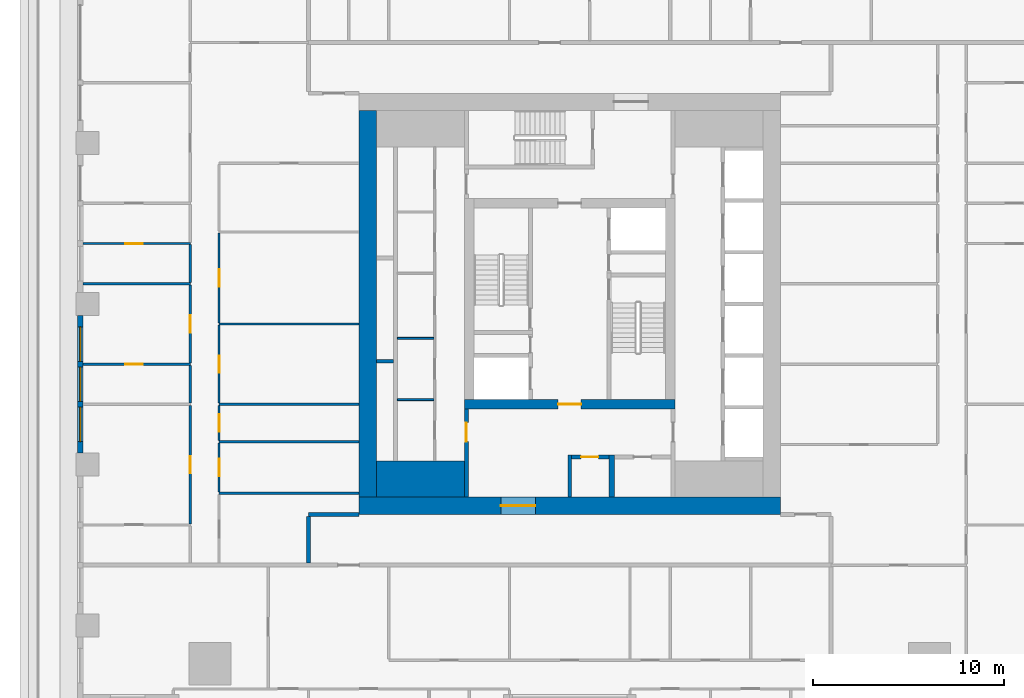
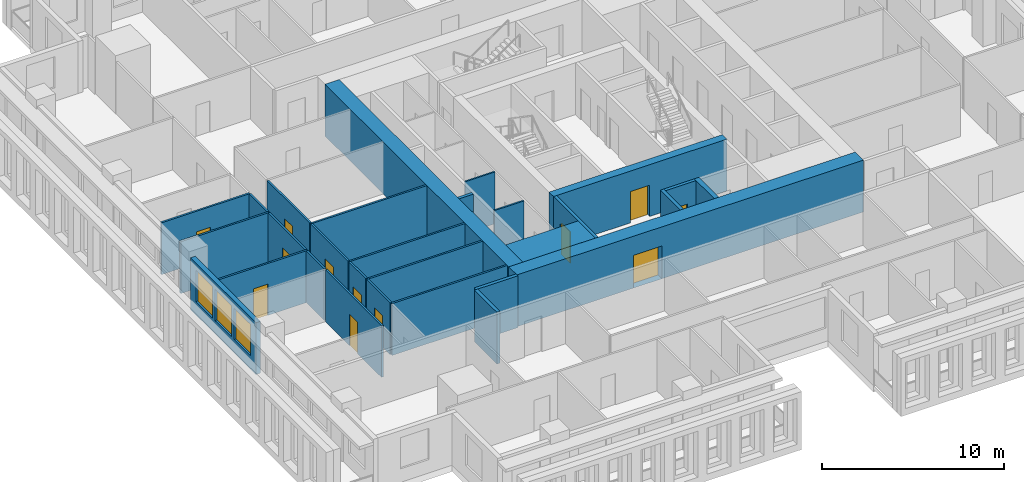
# One storey, part 3 of 15: 29 walls, 12 doors, 3 windows, 15 openings.
"""IFC4 building model written with IfcOpenShell, lengths in metres."""

import ifcopenshell
import ifcopenshell.guid

model = None  # the IFC model being written
_history = None  # IfcOwnerHistory: only IFC2X3 demands one
_inside = {}  # id of a spatial element -> (the spatial element, [elements in it])
_under = {}  # id of a project, library or spatial element -> (it, [spatial elements below it])
_declared = {}  # id of a project -> (the project, [libraries it declares])
_typed = {}  # id of a type object -> (the type object, [elements of that type])
_made_of = {}  # id of a material, layer set ... -> (it, [elements and type objects made of it])


def new_model(schema):
    """Start an empty IFC model of exactly this schema.

    Asked for "IFC4X3", IfcOpenShell would pick the latest addendum, in which some entities
    have other attributes; the version numbers below select the first issue.
    IFC2X3 requires an IfcOwnerHistory on every rooted entity: one is made here for all.
    """
    global model, _history
    if schema == "IFC4X3":
        model = ifcopenshell.file(schema_version=(4, 3, 0, 0))
    else:
        model = ifcopenshell.file(schema=schema)
    _inside.clear()
    _under.clear()
    _declared.clear()
    _typed.clear()
    _made_of.clear()
    _history = None
    if model.schema == "IFC2X3":
        org = make("IfcOrganization", Name="unknown")
        user = make(
            "IfcPersonAndOrganization",
            ThePerson=make("IfcPerson", FamilyName="unknown"),
            TheOrganization=org,
        )
        app = make(
            "IfcApplication",
            ApplicationDeveloper=org,
            Version="unknown",
            ApplicationFullName="unknown",
            ApplicationIdentifier="unknown",
        )
        _history = make(
            "IfcOwnerHistory",
            OwningUser=user,
            OwningApplication=app,
            ChangeAction="ADDED",
            CreationDate=0,
        )
    return model


def make(cls, **values):
    """One entity of the class cls with the attributes given. An attribute that is None is left unset."""
    return model.create_entity(
        cls, **{name: value for name, value in values.items() if value is not None}
    )


def rooted(cls, **values):
    """An entity with a GlobalId (a new one), such as an element, a storey or a relation."""
    return make(cls, GlobalId=ifcopenshell.guid.new(), OwnerHistory=_history, **values)


def si_unit(unit_type, name, prefix=None):
    """IfcSIUnit, for example si_unit("LENGTHUNIT", "METRE", prefix="MILLI")."""
    return make("IfcSIUnit", UnitType=unit_type, Prefix=prefix, Name=name)


def assignment(units):
    """IfcUnitAssignment: the units of a project."""
    return None if units is None else make("IfcUnitAssignment", Units=units)


def point(xyz):
    """IfcCartesianPoint."""
    return None if xyz is None else make("IfcCartesianPoint", Coordinates=xyz)


def direction(xyz):
    """IfcDirection."""
    return None if xyz is None else make("IfcDirection", DirectionRatios=xyz)


def frame(location, z_axis=None, x_axis=None):
    """IfcAxis2Placement3D, a coordinate frame: its origin and axes. An axis left out is left unset."""
    return make(
        "IfcAxis2Placement3D",
        Location=point(location),
        Axis=direction(z_axis),
        RefDirection=direction(x_axis),
    )


def frame_2d(location, x_axis=None):
    """IfcAxis2Placement2D, a coordinate frame in the plane: its origin and x axis."""
    return make(
        "IfcAxis2Placement2D", Location=point(location), RefDirection=direction(x_axis)
    )


def origin():
    """The frame at (0, 0, 0) with its axes left unset."""
    return frame((0.0, 0.0, 0.0))


def place(relative_to, where):
    """IfcLocalPlacement: puts the frame where relative to a parent placement (None: the world)."""
    return make(
        "IfcLocalPlacement", PlacementRelTo=relative_to, RelativePlacement=where
    )


def context(
    kind, dimensions, precision=None, world=None, true_north=None, identifier=None
):
    """IfcGeometricRepresentationContext, for example the 3D "Model" context."""
    return make(
        "IfcGeometricRepresentationContext",
        ContextIdentifier=identifier,
        ContextType=kind,
        CoordinateSpaceDimension=dimensions,
        Precision=precision,
        WorldCoordinateSystem=world,
        TrueNorth=true_north,
    )


def subcontext(parent, identifier, kind, view, scale=None):
    """IfcGeometricRepresentationSubContext, for example "Body" below "Model"."""
    return make(
        "IfcGeometricRepresentationSubContext",
        ContextIdentifier=identifier,
        ContextType=kind,
        ParentContext=parent,
        TargetScale=scale,
        TargetView=view,
    )


def project(units=None, contexts=None):
    """IfcProject with its units and contexts."""
    return rooted(
        "IfcProject",
        Name="project",
        RepresentationContexts=contexts,
        UnitsInContext=assignment(units),
    )


def spatial(cls, under=None, at=None, **own):
    """A site, building, storey or space (cls), placed at a placement, below another one or the project."""
    s = rooted(cls, ObjectPlacement=at, **own)
    if under is not None:
        _under.setdefault(under.id(), (under, []))[1].append(s)
    return s


def profile(cls, at=None, kind="AREA", **sizes):
    """A parametric profile (cls). Its sizes go by their IFC names, for example OverallWidth=200.0."""
    return make(cls, ProfileType=kind, Position=at, **sizes)


def rectangle(**sizes):
    """IfcRectangleProfileDef."""
    return profile("IfcRectangleProfileDef", **sizes)


def extrude(swept, where, along, depth):
    """IfcExtrudedAreaSolid: the profile swept, set in the frame where, extruded along a direction by depth."""
    return make(
        "IfcExtrudedAreaSolid",
        SweptArea=swept,
        Position=where,
        ExtrudedDirection=direction(along),
        Depth=depth,
    )


def shape(context_of_items, identifier, shape_type, items):
    """IfcShapeRepresentation: the items that make up one representation, for example the "Body"."""
    return make(
        "IfcShapeRepresentation",
        ContextOfItems=context_of_items,
        RepresentationIdentifier=identifier,
        RepresentationType=shape_type,
        Items=items,
    )


def material(Name=None, Category=None):
    """IfcMaterial."""
    return make("IfcMaterial", Name=Name, Category=Category)


def layer(
    of_material, thickness, ventilated=None, Name=None, Category=None, Priority=None
):
    """IfcMaterialLayer: one layer of a wall or slab, of a material (None: an air gap)."""
    return make(
        "IfcMaterialLayer",
        Material=of_material,
        LayerThickness=thickness,
        IsVentilated=ventilated,
        Name=Name,
        Category=Category,
        Priority=Priority,
    )


def layer_set(layers, Name=None):
    """IfcMaterialLayerSet."""
    return make("IfcMaterialLayerSet", MaterialLayers=layers, LayerSetName=Name)


def made_of(thing, what):
    """Note that an element or type object is made of a material, layer set ...; save() writes the relation."""
    if what is not None:
        _made_of.setdefault(what.id(), (what, []))[1].append(thing)
    return thing


def type_object(cls, material=None, **own):
    """A type object (cls), such as IfcWallType, which elements share."""
    return made_of(rooted(cls, **own), material)


def element(
    cls,
    number,
    at=None,
    inside=None,
    cuts=None,
    type_object=None,
    material=None,
    context=None,
    identifier="Body",
    shape_type=None,
    held_by="IfcProductDefinitionShape",
    body=None,
    shapes=None,
    **own,
):
    """One element of the class cls, such as IfcWall. Its Tag is "e" and its number.

    at: its placement. inside: the storey or other place that contains it. cuts: it is an
    opening in that element (IfcRelVoidsElement). A single representation is given by context,
    identifier, shape_type and body (its items); several are given by shapes. held_by: the class
    of the entity that holds the representations. save() writes the other relations.
    """
    e = rooted(cls, Tag="e%d" % number, ObjectPlacement=at, **own)
    if body is not None:
        shapes = [shape(context, identifier, shape_type, body)]
    if shapes is not None:
        e.Representation = make(held_by, Representations=shapes)
    if inside is not None:
        _inside.setdefault(inside.id(), (inside, []))[1].append(e)
    if cuts is not None:
        rooted(
            "IfcRelVoidsElement", RelatingBuildingElement=cuts, RelatedOpeningElement=e
        )
    if type_object is not None:
        _typed.setdefault(type_object.id(), (type_object, []))[1].append(e)
    return made_of(e, material)


def fill(opening, filler):
    """IfcRelFillsElement: the door or window that sits in an opening."""
    return rooted(
        "IfcRelFillsElement",
        RelatingOpeningElement=opening,
        RelatedBuildingElement=filler,
    )


def aggregate(whole, parts):
    """IfcRelAggregates: a whole, such as a stair, and the parts it consists of."""
    return rooted("IfcRelAggregates", RelatingObject=whole, RelatedObjects=parts)


def save(model, path):
    """Write the relations noted so far, then the file.

    IfcRelAggregates (storeys below a building ...), IfcRelContainedInSpatialStructure (elements
    in a storey), IfcRelDefinesByType, IfcRelAssociatesMaterial and IfcRelDeclares: one each for
    every whole, place, type object, material and project.
    """
    for whole, parts in _under.values():
        aggregate(whole, parts)
    for where, things in _inside.values():
        rooted(
            "IfcRelContainedInSpatialStructure",
            RelatedElements=things,
            RelatingStructure=where,
        )
    for kind, things in _typed.values():
        rooted("IfcRelDefinesByType", RelatedObjects=things, RelatingType=kind)
    for what, things in _made_of.values():
        rooted("IfcRelAssociatesMaterial", RelatedObjects=things, RelatingMaterial=what)
    for by, libraries in _declared.values():
        rooted("IfcRelDeclares", RelatingContext=by, RelatedDefinitions=libraries)
    model.write(path)


model = new_model("IFC4")

# Units and contexts
model_context = context("Model", 3, precision=1e-05, world=origin(), true_north=direction((0.0, 1.0)))
body_context = subcontext(model_context, "Body", "Model", "MODEL_VIEW")
ifc_project = project(units=[si_unit("LENGTHUNIT", "METRE"), si_unit("AREAUNIT", "SQUARE_METRE"), si_unit("VOLUMEUNIT", "CUBIC_METRE"), si_unit("PLANEANGLEUNIT", "RADIAN"), si_unit("MASSUNIT", "GRAM", prefix="KILO")], contexts=[model_context])

# Site, building, storey
site_placement = place(None, origin())
site = spatial("IfcSite", under=ifc_project, at=site_placement, CompositionType="ELEMENT")
building_placement = place(site_placement, origin())
building = spatial("IfcBuilding", under=site, at=building_placement, Name="Khepri Terraces", CompositionType="ELEMENT")
storey_placement = place(building_placement, frame((0.0, 0.0, 244.5)))
storey = spatial("IfcBuildingStorey", under=building, at=storey_placement, Name="L58", CompositionType="ELEMENT", Elevation=244.5)

# Walls
ifc_material_1 = material(Name="Concrete C40/50", Category="concrete")
ifc_layer_1 = layer(ifc_material_1, 1.89990234375, Name="Concrete C40/50", Category="concrete")
ifc_layer_set_1 = layer_set([ifc_layer_1], Name="Concrete C40/50")
wall_type_1 = type_object("IfcWallType", Name="Core wall 1900 C40/50", PredefinedType="SHEAR", material=ifc_layer_set_1)
wall_1_placement = place(storey_placement, frame((-10.10009765625, -9.14990234375, 0.0), z_axis=(0.0, 0.0, 1.0), x_axis=(1.0, 0.0, 0.0)))
element("IfcWall", 1, at=wall_1_placement, inside=storey, type_object=wall_type_1, Name="Core wall PR01 L58", PredefinedType="SHEAR", context=body_context, shape_type="SweptSolid", body=[
    extrude(rectangle(XDim=4.60009765625, YDim=1.89990234375, at=frame_2d((2.300048828125, 0.0))), origin(), (0.0, 0.0, 1.0), 3.47998046875),
])
ifc_layer_2 = layer(ifc_material_1, 0.199951171875, Name="Concrete C40/50", Category="concrete")
ifc_layer_set_2 = layer_set([ifc_layer_2], Name="Concrete C40/50")
wall_type_2 = type_object("IfcWallType", Name="Core wall 200 C40/50", PredefinedType="SHEAR", material=ifc_layer_set_2)
wall_2_placement = place(storey_placement, frame((-10.10009765625, -3.0, 0.0), z_axis=(0.0, 0.0, 1.0), x_axis=(1.0, 0.0, 0.0)))
element("IfcWall", 2, at=wall_2_placement, inside=storey, type_object=wall_type_2, Name="Core wall SH06 L58", PredefinedType="SHEAR", context=body_context, shape_type="SweptSolid", body=[
    extrude(rectangle(XDim=0.900146484375, YDim=0.199951171875, at=frame_2d((0.4501953125, 0.0))), origin(), (0.0, 0.0, 1.0), 3.47998046875),
])

# Wall, opening, door
ifc_layer_3 = layer(ifc_material_1, 0.5, Name="Concrete C40/50", Category="concrete")
ifc_layer_set_3 = layer_set([ifc_layer_3], Name="Concrete C40/50")
wall_type_3 = type_object("IfcWallType", Name="Core wall 500 C40/50", PredefinedType="SHEAR", material=ifc_layer_set_3)
wall_3_placement = place(storey_placement, frame((-5.5, -5.25, 0.0), z_axis=(0.0, 0.0, 1.0), x_axis=(1.0, 0.0, 0.0)))
wall_3 = element("IfcWall", 3, at=wall_3_placement, inside=storey, type_object=wall_type_3, Name="Core wall BX01 L58", PredefinedType="SHEAR", context=body_context, shape_type="SweptSolid", body=[
    extrude(rectangle(XDim=11.0, YDim=0.5, at=frame_2d((5.5, 0.0))), origin(), (0.0, 0.0, 1.0), 3.47998046875),
])
opening_1_placement = place(wall_3_placement, frame((4.89990234375, 0.0, 0.0)))
opening_1 = element("IfcOpeningElement", 4, at=opening_1_placement, cuts=wall_3, Name="Opening L58-C14", PredefinedType="OPENING", context=body_context, shape_type="SweptSolid", body=[
    extrude(rectangle(XDim=1.199951171875, YDim=2.10009765625, at=frame_2d((0.60009765625, 1.050048828125))), frame((0.0, 0.260009765625, 0.0), z_axis=(0.0, -1.0, 0.0), x_axis=(1.0, 0.0, 0.0)), (0.0, 0.0, 1.0), 0.52001953125),
])
ifc_material_2 = material(Name="Painted steel", Category="steel")
door_type_1 = type_object("IfcDoorType", Name="DR-CORE-FF-LOBBY-1200", OperationType="NOTDEFINED", PredefinedType="DOOR", material=ifc_material_2)
door_1_placement = place(opening_1_placement, origin())
door_1 = element("IfcDoor", 5, at=door_1_placement, inside=storey, type_object=door_type_1, Name="Firefighting lobby door L58-C14", OperationType="SINGLE_SWING_RIGHT", OverallHeight=2.10009765625, OverallWidth=1.199951171875, PredefinedType="DOOR", context=body_context, shape_type="SweptSolid", body=[
    extrude(rectangle(XDim=1.199951171875, YDim=2.10009765625, at=frame_2d((0.60009765625, 1.050048828125))), frame((0.0, 0.02490234375, 0.0), z_axis=(0.0, -1.0, 0.0), x_axis=(1.0, 0.0, 0.0)), (0.0, 0.0, 1.0), 0.050048828125),
])
fill(opening_1, door_1)

ifc_layer_4 = layer(ifc_material_1, 0.89990234375, Name="Concrete C40/50", Category="concrete")
ifc_layer_set_4 = layer_set([ifc_layer_4], Name="Concrete C40/50")
wall_type_4 = type_object("IfcWallType", Name="Core wall 900 C40/50", PredefinedType="SHEAR", material=ifc_layer_set_4)
wall_4_placement = place(storey_placement, frame((-11.0, -10.550048828125, 0.0), z_axis=(0.0, 0.0, 1.0), x_axis=(1.0, 0.0, 0.0)))
wall_4 = element("IfcWall", 6, at=wall_4_placement, inside=storey, type_object=wall_type_4, Name="Core wall OW-S L58", PredefinedType="SHEAR", context=body_context, shape_type="SweptSolid", body=[
    extrude(rectangle(XDim=22.0, YDim=0.89990234375, at=frame_2d((11.0, 0.0))), origin(), (0.0, 0.0, 1.0), 3.47998046875),
])
opening_2_placement = place(wall_4_placement, frame((7.39990234375, 0.0, 0.0)))
opening_2 = element("IfcOpeningElement", 7, at=opening_2_placement, cuts=wall_4, Name="Opening L58-C21", PredefinedType="OPENING", context=body_context, shape_type="SweptSolid", body=[
    extrude(rectangle(XDim=1.800048828125, YDim=2.199951171875, at=frame_2d((0.89990234375, 1.10009765625))), frame((0.0, 0.4599609375, 0.0), z_axis=(0.0, -1.0, 0.0), x_axis=(1.0, 0.0, 0.0)), (0.0, 0.0, 1.0), 0.919921875),
])
door_type_2 = type_object("IfcDoorType", Name="DR-CORE-ENTRANCE-1800", OperationType="NOTDEFINED", PredefinedType="DOOR", material=ifc_material_2)
door_2_placement = place(opening_2_placement, frame((1.800048828125, 0.0, 0.0), z_axis=(0.0, 0.0, 1.0), x_axis=(-1.0, 0.0, 0.0)))
door_2 = element("IfcDoor", 8, at=door_2_placement, inside=storey, type_object=door_type_2, Name="Core entrance door pair L58-C21", OperationType="DOUBLE_DOOR_SINGLE_SWING", OverallHeight=2.199951171875, OverallWidth=1.800048828125, PredefinedType="DOOR", context=body_context, shape_type="SweptSolid", body=[
    extrude(rectangle(XDim=1.800048828125, YDim=2.199951171875, at=frame_2d((0.89990234375, 1.10009765625))), frame((0.0, 0.02490234375, 0.0), z_axis=(0.0, -1.0, 0.0), x_axis=(1.0, 0.0, 0.0)), (0.0, 0.0, 1.0), 0.050048828125),
])
fill(opening_2, door_2)

# Walls
wall_5_placement = place(storey_placement, frame((-10.550048828125, -10.10009765625, 0.0), z_axis=(0.0, 0.0, 1.0), x_axis=(0.0, 1.0, 0.0)))
element("IfcWall", 9, at=wall_5_placement, inside=storey, type_object=wall_type_4, Name="Core wall OW-W L58", PredefinedType="SHEAR", context=body_context, shape_type="SweptSolid", body=[
    extrude(rectangle(XDim=20.2001953125, YDim=0.89990234375, at=frame_2d((10.10009765625, 0.0))), origin(), (0.0, 0.0, 1.0), 3.47998046875),
])
ifc_material_3 = material(Name="Fire-rated gypsum board partition")
ifc_layer_5 = layer(ifc_material_3, 0.10009765625, Name="Fire-rated gypsum board partition")
ifc_layer_set_5 = layer_set([ifc_layer_5], Name="Fire-rated gypsum board partition")
wall_type_5 = type_object("IfcWallType", Name="WL-CORE-PART-100", PredefinedType="PARTITIONING", material=ifc_layer_set_5)
for number, where, z_axis, x_axis, name in (
    (10, (-9.0, -5.0, 0.0), (0.0, 0.0, 1.0), (1.0, 0.0, 0.0), "Core partition PT08 L58"),
    (11, (-9.0, -1.800048828125, 0.0), (0.0, 0.0, 1.0), (1.0, 0.0, 0.0), "Core partition PT09 L58"),
):
    element("IfcWall", number, at=place(storey_placement, frame(where, z_axis=z_axis, x_axis=x_axis)), inside=storey, type_object=wall_type_5, Name=name, PredefinedType="PARTITIONING", context=body_context, shape_type="SweptSolid", body=[
        extrude(rectangle(XDim=1.89990234375, YDim=0.10009765625, at=frame_2d((0.949951171875, 0.0))), origin(), (0.0, 0.0, 1.0), 3.47998046875),
    ])

# Wall, opening, door
ifc_layer_6 = layer(ifc_material_3, 0.199951171875, Name="Fire-rated gypsum board partition")
ifc_layer_set_6 = layer_set([ifc_layer_6], Name="Fire-rated gypsum board partition")
wall_type_6 = type_object("IfcWallType", Name="WL-CORE-PART-200", PredefinedType="PARTITIONING", material=ifc_layer_set_6)
wall_6_placement = place(storey_placement, frame((-5.39990234375, -10.10009765625, 0.0), z_axis=(0.0, 0.0, 1.0), x_axis=(0.0, 1.0, 0.0)))
wall_6 = element("IfcWall", 12, at=wall_6_placement, inside=storey, type_object=wall_type_6, Name="Core partition PT01 L58", PredefinedType="PARTITIONING", context=body_context, shape_type="SweptSolid", body=[
    extrude(rectangle(XDim=4.60009765625, YDim=0.199951171875, at=frame_2d((2.300048828125, 0.0))), origin(), (0.0, 0.0, 1.0), 3.47998046875),
])
opening_3_placement = place(wall_6_placement, frame((2.89990234375, 0.0, 0.0)))
opening_3 = element("IfcOpeningElement", 13, at=opening_3_placement, cuts=wall_6, Name="Opening L58-C18", PredefinedType="OPENING", context=body_context, shape_type="SweptSolid", body=[
    extrude(rectangle(XDim=1.0, YDim=2.10009765625, at=frame_2d((0.5, 1.050048828125))), frame((0.0, 0.10986328125, 0.0), z_axis=(0.0, -1.0, 0.0), x_axis=(1.0, 0.0, 0.0)), (0.0, 0.0, 1.0), 0.219970703125),
])
door_type_3 = type_object("IfcDoorType", Name="DR-CORE-LOBBY-1000", OperationType="NOTDEFINED", PredefinedType="DOOR", material=ifc_material_2)
door_3_placement = place(opening_3_placement, frame((1.0, 0.0, 0.0), z_axis=(0.0, 0.0, 1.0), x_axis=(-1.0, 0.0, 0.0)))
door_3 = element("IfcDoor", 14, at=door_3_placement, inside=storey, type_object=door_type_3, Name="Lobby door L58-C18", OperationType="SINGLE_SWING_LEFT", OverallHeight=2.10009765625, OverallWidth=1.0, PredefinedType="DOOR", context=body_context, shape_type="SweptSolid", body=[
    extrude(rectangle(XDim=1.0, YDim=2.10009765625, at=frame_2d((0.5, 1.050048828125))), frame((0.0, 0.02490234375, 0.0), z_axis=(0.0, -1.0, 0.0), x_axis=(1.0, 0.0, 0.0)), (0.0, 0.0, 1.0), 0.050048828125),
])
fill(opening_3, door_3)

# Wall
wall_7_placement = place(storey_placement, frame((0.0, -10.10009765625, 0.0), z_axis=(0.0, 0.0, 1.0), x_axis=(0.0, 1.0, 0.0)))
element("IfcWall", 15, at=wall_7_placement, inside=storey, type_object=wall_type_6, Name="Core partition PT02 L58", PredefinedType="PARTITIONING", context=body_context, shape_type="SweptSolid", body=[
    extrude(rectangle(XDim=2.2001953125, YDim=0.199951171875, at=frame_2d((1.10009765625, 0.0))), origin(), (0.0, 0.0, 1.0), 3.47998046875),
])

# Wall, opening, door
wall_8_placement = place(storey_placement, frame((0.10009765625, -8.0, 0.0), z_axis=(0.0, 0.0, 1.0), x_axis=(1.0, 0.0, 0.0)))
wall_8 = element("IfcWall", 16, at=wall_8_placement, inside=storey, type_object=wall_type_6, Name="Core partition PT06 L58", PredefinedType="PARTITIONING", context=body_context, shape_type="SweptSolid", body=[
    extrude(rectangle(XDim=1.949951171875, YDim=0.199951171875, at=frame_2d((0.97509765625, 0.0))), origin(), (0.0, 0.0, 1.0), 3.47998046875),
])
opening_4_placement = place(wall_8_placement, frame((0.5, 0.0, 0.0)))
opening_4 = element("IfcOpeningElement", 17, at=opening_4_placement, cuts=wall_8, Name="Opening L58-C22", PredefinedType="OPENING", context=body_context, shape_type="SweptSolid", body=[
    extrude(rectangle(XDim=0.89990234375, YDim=2.10009765625, at=frame_2d((0.449951171875, 1.050048828125))), frame((0.0, 0.10986328125, 0.0), z_axis=(0.0, -1.0, 0.0), x_axis=(1.0, 0.0, 0.0)), (0.0, 0.0, 1.0), 0.219970703125),
])
door_type_4 = type_object("IfcDoorType", Name="DR-CORE-SERVICE-900", OperationType="NOTDEFINED", PredefinedType="DOOR", material=ifc_material_2)
door_4_placement = place(opening_4_placement, frame((0.89990234375, 0.0, 0.0), z_axis=(0.0, 0.0, 1.0), x_axis=(-1.0, 0.0, 0.0)))
door_4 = element("IfcDoor", 18, at=door_4_placement, inside=storey, type_object=door_type_4, Name="Service room door L58-C22", OperationType="SINGLE_SWING_RIGHT", OverallHeight=2.10009765625, OverallWidth=0.89990234375, PredefinedType="DOOR", context=body_context, shape_type="SweptSolid", body=[
    extrude(rectangle(XDim=0.89990234375, YDim=2.10009765625, at=frame_2d((0.449951171875, 1.050048828125))), frame((0.0, 0.02490234375, 0.0), z_axis=(0.0, -1.0, 0.0), x_axis=(1.0, 0.0, 0.0)), (0.0, 0.0, 1.0), 0.050048828125),
])
fill(opening_4, door_4)

# Walls
ifc_layer_7 = layer(ifc_material_3, 0.300048828125, Name="Fire-rated gypsum board partition")
ifc_layer_set_7 = layer_set([ifc_layer_7], Name="Fire-rated gypsum board partition")
wall_type_7 = type_object("IfcWallType", Name="WL-CORE-PART-300", PredefinedType="PARTITIONING", material=ifc_layer_set_7)
wall_9_placement = place(storey_placement, frame((2.199951171875, -10.10009765625, 0.0), z_axis=(0.0, 0.0, 1.0), x_axis=(0.0, 1.0, 0.0)))
element("IfcWall", 19, at=wall_9_placement, inside=storey, type_object=wall_type_7, Name="Core partition PT03 L58", PredefinedType="PARTITIONING", context=body_context, shape_type="SweptSolid", body=[
    extrude(rectangle(XDim=2.2001953125, YDim=0.300048828125, at=frame_2d((1.10009765625, 0.0))), origin(), (0.0, 0.0, 1.0), 3.47998046875),
])
ifc_material_4 = material(Name="Fire-rated gypsum plasterboard partition, mineral wool")
ifc_layer_8 = layer(ifc_material_4, 0.199951171875, Name="Fire-rated gypsum plasterboard partition, mineral wool")
ifc_layer_set_8 = layer_set([ifc_layer_8], Name="Fire-rated gypsum plasterboard partition, mineral wool")
wall_type_8 = type_object("IfcWallType", Name="WL-CORR-200", PredefinedType="PARTITIONING", material=ifc_layer_set_8)
wall_10_placement = place(storey_placement, frame((-13.64990234375, -13.550048828125, 0.0), z_axis=(0.0, 0.0, 1.0), x_axis=(0.0, 1.0, 0.0)))
element("IfcWall", 20, at=wall_10_placement, inside=storey, type_object=wall_type_8, Name="Partition P-025 L58", PredefinedType="PARTITIONING", context=body_context, shape_type="SweptSolid", body=[
    extrude(rectangle(XDim=2.449951171875, YDim=0.199951171875, at=frame_2d((1.22509765625, 0.0))), origin(), (0.0, 0.0, 1.0), 3.47998046875),
])
wall_11_placement = place(storey_placement, frame((-13.64990234375, -11.0, 0.0), z_axis=(0.0, 0.0, 1.0), x_axis=(1.0, 0.0, 0.0)))
element("IfcWall", 21, at=wall_11_placement, inside=storey, type_object=wall_type_8, Name="Partition P-031 L58", PredefinedType="PARTITIONING", context=body_context, shape_type="SweptSolid", body=[
    extrude(rectangle(XDim=2.64990234375, YDim=0.199951171875, at=frame_2d((1.324951171875, 0.0))), origin(), (0.0, 0.0, 1.0), 3.47998046875),
])

# Wall, openings, windows
ifc_material_5 = material(Name="Precast concrete C50/60 warm stone", Category="masonry")
ifc_layer_9 = layer(ifc_material_5, 0.300048828125, Name="Precast concrete C50/60 warm stone", Category="masonry")
ifc_layer_set_9 = layer_set([ifc_layer_9], Name="Precast concrete C50/60 warm stone")
wall_type_9 = type_object("IfcWallType", Name="WL-EXT-PRECAST-300", PredefinedType="STANDARD", material=ifc_layer_set_9)
wall_12_placement = place(storey_placement, frame((-25.570068359375, -0.60009765625, 0.0), z_axis=(0.0, 0.0, 1.0), x_axis=(0.0, -1.0, 0.0)))
wall_12 = element("IfcWall", 22, at=wall_12_placement, inside=storey, type_object=wall_type_9, Name="External wall L58 W", PredefinedType="STANDARD", context=body_context, shape_type="SweptSolid", body=[
    extrude(rectangle(XDim=7.199951171875, YDim=0.300048828125, at=frame_2d((3.60009765625, 0.0))), origin(), (0.0, 0.0, 1.0), 3.47998046875),
])
opening_5_placement = place(wall_12_placement, frame((0.60009765625, 0.0, 0.89990234375)))
opening_5 = element("IfcOpeningElement", 23, at=opening_5_placement, cuts=wall_12, Name="Opening W1", PredefinedType="OPENING", context=body_context, shape_type="SweptSolid", body=[
    extrude(rectangle(XDim=1.800048828125, YDim=2.10009765625, at=frame_2d((0.89990234375, 1.050048828125))), frame((0.0, 0.16015625, 0.0), z_axis=(0.0, -1.0, 0.0), x_axis=(1.0, 0.0, 0.0)), (0.0, 0.0, 1.0), 0.320068359375),
])
opening_6_placement = place(wall_12_placement, frame((2.699951171875, 0.0, 0.89990234375)))
opening_6 = element("IfcOpeningElement", 24, at=opening_6_placement, cuts=wall_12, Name="Opening W1", PredefinedType="OPENING", context=body_context, shape_type="SweptSolid", body=[
    extrude(rectangle(XDim=1.800048828125, YDim=2.10009765625, at=frame_2d((0.89990234375, 1.050048828125))), frame((0.0, 0.16015625, 0.0), z_axis=(0.0, -1.0, 0.0), x_axis=(1.0, 0.0, 0.0)), (0.0, 0.0, 1.0), 0.320068359375),
])
opening_7_placement = place(wall_12_placement, frame((4.800048828125, 0.0, 0.89990234375)))
opening_7 = element("IfcOpeningElement", 25, at=opening_7_placement, cuts=wall_12, Name="Opening W1", PredefinedType="OPENING", context=body_context, shape_type="SweptSolid", body=[
    extrude(rectangle(XDim=1.800048828125, YDim=2.10009765625, at=frame_2d((0.89990234375, 1.050048828125))), frame((0.0, 0.16015625, 0.0), z_axis=(0.0, -1.0, 0.0), x_axis=(1.0, 0.0, 0.0)), (0.0, 0.0, 1.0), 0.320068359375),
])
ifc_material_6 = material(Name="Clear glass", Category="glass")
window_type = type_object("IfcWindowType", Name="WIN-RES-1800x2100", PartitioningType="SINGLE_PANEL", PredefinedType="WINDOW", material=ifc_material_6)
window_1_placement = place(opening_5_placement, origin())
window_1 = element("IfcWindow", 26, at=window_1_placement, inside=storey, type_object=window_type, Name="Window L58 W", OverallHeight=2.10009765625, OverallWidth=1.800048828125, PartitioningType="SINGLE_PANEL", PredefinedType="WINDOW", context=body_context, shape_type="SweptSolid", body=[
    extrude(rectangle(XDim=1.800048828125, YDim=2.10009765625, at=frame_2d((0.89990234375, 1.050048828125))), frame((0.0, 0.030029296875, 0.0), z_axis=(0.0, -1.0, 0.0), x_axis=(1.0, 0.0, 0.0)), (0.0, 0.0, 1.0), 0.06005859375),
])
fill(opening_5, window_1)
window_2_placement = place(opening_6_placement, origin())
window_2 = element("IfcWindow", 27, at=window_2_placement, inside=storey, type_object=window_type, Name="Window L58 W", OverallHeight=2.10009765625, OverallWidth=1.800048828125, PartitioningType="SINGLE_PANEL", PredefinedType="WINDOW", context=body_context, shape_type="SweptSolid", body=[
    extrude(rectangle(XDim=1.800048828125, YDim=2.10009765625, at=frame_2d((0.89990234375, 1.050048828125))), frame((0.0, 0.030029296875, 0.0), z_axis=(0.0, -1.0, 0.0), x_axis=(1.0, 0.0, 0.0)), (0.0, 0.0, 1.0), 0.06005859375),
])
fill(opening_6, window_2)
window_3_placement = place(opening_7_placement, origin())
window_3 = element("IfcWindow", 28, at=window_3_placement, inside=storey, type_object=window_type, Name="Window L58 W", OverallHeight=2.10009765625, OverallWidth=1.800048828125, PartitioningType="SINGLE_PANEL", PredefinedType="WINDOW", context=body_context, shape_type="SweptSolid", body=[
    extrude(rectangle(XDim=1.800048828125, YDim=2.10009765625, at=frame_2d((0.89990234375, 1.050048828125))), frame((0.0, 0.030029296875, 0.0), z_axis=(0.0, -1.0, 0.0), x_axis=(1.0, 0.0, 0.0)), (0.0, 0.0, 1.0), 0.06005859375),
])
fill(opening_7, window_3)

# Wall, opening, door
ifc_material_7 = material(Name="Gypsum plasterboard partition")
ifc_layer_10 = layer(ifc_material_7, 0.1201171875, Name="Gypsum plasterboard partition")
ifc_layer_set_10 = layer_set([ifc_layer_10], Name="Gypsum plasterboard partition")
wall_type_10 = type_object("IfcWallType", Name="WL-PART-120", PredefinedType="PARTITIONING", material=ifc_layer_set_10)
wall_13_placement = place(storey_placement, frame((-19.820068359375, -11.489990234375, 0.0), z_axis=(0.0, 0.0, 1.0), x_axis=(0.0, 1.0, 0.0)))
wall_13 = element("IfcWall", 29, at=wall_13_placement, inside=storey, type_object=wall_type_10, Name="Partition P-029 L58", PredefinedType="PARTITIONING", context=body_context, shape_type="SweptSolid", body=[
    extrude(rectangle(XDim=6.179931640625, YDim=0.1201171875, at=frame_2d((3.08984375, 0.0))), origin(), (0.0, 0.0, 1.0), 3.47998046875),
])
opening_8_placement = place(wall_13_placement, frame((2.639892578125, 0.0, 0.0)))
opening_8 = element("IfcOpeningElement", 30, at=opening_8_placement, cuts=wall_13, Name="Opening D3", PredefinedType="OPENING", context=body_context, shape_type="SweptSolid", body=[
    extrude(rectangle(XDim=0.89990234375, YDim=2.10009765625, at=frame_2d((0.449951171875, 1.050048828125))), frame((0.0, 0.070068359375, 0.0), z_axis=(0.0, -1.0, 0.0), x_axis=(1.0, 0.0, 0.0)), (0.0, 0.0, 1.0), 0.14013671875),
])
ifc_material_8 = material(Name="Timber door leaf", Category="wood")
door_type_5 = type_object("IfcDoorType", Name="DR-INT-900", OperationType="NOTDEFINED", PredefinedType="DOOR", material=ifc_material_8)
door_5_placement = place(opening_8_placement, origin())
door_5 = element("IfcDoor", 31, at=door_5_placement, inside=storey, type_object=door_type_5, Name="Door Bedroom", OperationType="SINGLE_SWING_LEFT", OverallHeight=2.10009765625, OverallWidth=0.89990234375, PredefinedType="DOOR", context=body_context, shape_type="SweptSolid", body=[
    extrude(rectangle(XDim=0.89990234375, YDim=2.10009765625, at=frame_2d((0.449951171875, 1.050048828125))), frame((0.0, 0.02490234375, 0.0), z_axis=(0.0, -1.0, 0.0), x_axis=(1.0, 0.0, 0.0)), (0.0, 0.0, 1.0), 0.050048828125),
])
fill(opening_8, door_5)

# Wall
wall_14_placement = place(storey_placement, frame((-18.320068359375, -9.89990234375, 0.0), z_axis=(0.0, 0.0, 1.0), x_axis=(1.0, 0.0, 0.0)))
element("IfcWall", 32, at=wall_14_placement, inside=storey, type_object=wall_type_10, Name="Partition P-033 L58", PredefinedType="PARTITIONING", context=body_context, shape_type="SweptSolid", body=[
    extrude(rectangle(XDim=7.320068359375, YDim=0.1201171875, at=frame_2d((3.66015625, 0.0))), origin(), (0.0, 0.0, 1.0), 3.47998046875),
])

# Wall, opening, door
wall_15_placement = place(storey_placement, frame((-18.320068359375, -9.840087890625, 0.0), z_axis=(0.0, 0.0, 1.0), x_axis=(0.0, 1.0, 0.0)))
wall_15 = element("IfcWall", 33, at=wall_15_placement, inside=storey, type_object=wall_type_10, Name="Partition P-034 L58", PredefinedType="PARTITIONING", context=body_context, shape_type="SweptSolid", body=[
    extrude(rectangle(XDim=2.580078125, YDim=0.1201171875, at=frame_2d((1.2900390625, 0.0))), origin(), (0.0, 0.0, 1.0), 3.47998046875),
])
opening_9_placement = place(wall_15_placement, frame((0.840087890625, 0.0, 0.0)))
opening_9 = element("IfcOpeningElement", 34, at=opening_9_placement, cuts=wall_15, Name="Opening D4", PredefinedType="OPENING", context=body_context, shape_type="SweptSolid", body=[
    extrude(rectangle(XDim=0.89990234375, YDim=2.10009765625, at=frame_2d((0.449951171875, 1.050048828125))), frame((0.0, 0.070068359375, 0.0), z_axis=(0.0, -1.0, 0.0), x_axis=(1.0, 0.0, 0.0)), (0.0, 0.0, 1.0), 0.14013671875),
])
ifc_material_9 = material(Name="Timber door leaf, moisture resistant", Category="wood")
door_type_6 = type_object("IfcDoorType", Name="DR-WET-900", OperationType="NOTDEFINED", PredefinedType="DOOR", material=ifc_material_9)
door_6_placement = place(opening_9_placement, frame((0.89990234375, 0.0, 0.0), z_axis=(0.0, 0.0, 1.0), x_axis=(-1.0, 0.0, 0.0)))
door_6 = element("IfcDoor", 35, at=door_6_placement, inside=storey, type_object=door_type_6, Name="Door Guest Bathroom", OperationType="SINGLE_SWING_RIGHT", OverallHeight=2.10009765625, OverallWidth=0.89990234375, PredefinedType="DOOR", context=body_context, shape_type="SweptSolid", body=[
    extrude(rectangle(XDim=0.89990234375, YDim=2.10009765625, at=frame_2d((0.449951171875, 1.050048828125))), frame((0.0, 0.02490234375, 0.0), z_axis=(0.0, -1.0, 0.0), x_axis=(1.0, 0.0, 0.0)), (0.0, 0.0, 1.0), 0.050048828125),
])
fill(opening_9, door_6)

# Wall
wall_16_placement = place(storey_placement, frame((-18.320068359375, -7.199951171875, 0.0), z_axis=(0.0, 0.0, 1.0), x_axis=(1.0, 0.0, 0.0)))
element("IfcWall", 36, at=wall_16_placement, inside=storey, type_object=wall_type_10, Name="Partition P-037 L58", PredefinedType="PARTITIONING", context=body_context, shape_type="SweptSolid", body=[
    extrude(rectangle(XDim=7.320068359375, YDim=0.1201171875, at=frame_2d((3.66015625, 0.0))), origin(), (0.0, 0.0, 1.0), 3.47998046875),
])

# Wall, opening, door
wall_17_placement = place(storey_placement, frame((-18.320068359375, -7.139892578125, 0.0), z_axis=(0.0, 0.0, 1.0), x_axis=(0.0, 1.0, 0.0)))
wall_17 = element("IfcWall", 37, at=wall_17_placement, inside=storey, type_object=wall_type_10, Name="Partition P-038 L58", PredefinedType="PARTITIONING", context=body_context, shape_type="SweptSolid", body=[
    extrude(rectangle(XDim=1.829833984375, YDim=0.1201171875, at=frame_2d((0.9150390625, 0.0))), origin(), (0.0, 0.0, 1.0), 3.47998046875),
])
opening_10_placement = place(wall_17_placement, frame((0.465087890625, 0.0, 0.0)))
opening_10 = element("IfcOpeningElement", 38, at=opening_10_placement, cuts=wall_17, Name="Opening D4", PredefinedType="OPENING", context=body_context, shape_type="SweptSolid", body=[
    extrude(rectangle(XDim=0.89990234375, YDim=2.10009765625, at=frame_2d((0.449951171875, 1.050048828125))), frame((0.0, 0.070068359375, 0.0), z_axis=(0.0, -1.0, 0.0), x_axis=(1.0, 0.0, 0.0)), (0.0, 0.0, 1.0), 0.14013671875),
])
door_7_placement = place(opening_10_placement, frame((0.89990234375, 0.0, 0.0), z_axis=(0.0, 0.0, 1.0), x_axis=(-1.0, 0.0, 0.0)))
door_7 = element("IfcDoor", 39, at=door_7_placement, inside=storey, type_object=door_type_6, Name="Door Powder Room", OperationType="SINGLE_SWING_LEFT", OverallHeight=2.10009765625, OverallWidth=0.89990234375, PredefinedType="DOOR", context=body_context, shape_type="SweptSolid", body=[
    extrude(rectangle(XDim=0.89990234375, YDim=2.10009765625, at=frame_2d((0.449951171875, 1.050048828125))), frame((0.0, 0.02490234375, 0.0), z_axis=(0.0, -1.0, 0.0), x_axis=(1.0, 0.0, 0.0)), (0.0, 0.0, 1.0), 0.050048828125),
])
fill(opening_10, door_7)

# Walls
wall_18_placement = place(storey_placement, frame((-18.320068359375, -5.25, 0.0), z_axis=(0.0, 0.0, 1.0), x_axis=(1.0, 0.0, 0.0)))
element("IfcWall", 40, at=wall_18_placement, inside=storey, type_object=wall_type_10, Name="Partition P-040 L58", PredefinedType="PARTITIONING", context=body_context, shape_type="SweptSolid", body=[
    extrude(rectangle(XDim=7.320068359375, YDim=0.1201171875, at=frame_2d((3.66015625, 0.0))), origin(), (0.0, 0.0, 1.0), 3.47998046875),
])
wall_19_placement = place(storey_placement, frame((-19.820068359375, -5.18994140625, 0.0), z_axis=(0.0, 0.0, 1.0), x_axis=(0.0, 1.0, 0.0)))
element("IfcWall", 41, at=wall_19_placement, inside=storey, type_object=wall_type_10, Name="Partition P-042 L58", PredefinedType="PARTITIONING", context=body_context, shape_type="SweptSolid", body=[
    extrude(rectangle(XDim=1.97998046875, YDim=0.1201171875, at=frame_2d((0.989990234375, 0.0))), origin(), (0.0, 0.0, 1.0), 3.47998046875),
])

# Wall, opening, door
wall_20_placement = place(storey_placement, frame((-18.320068359375, -5.18994140625, 0.0), z_axis=(0.0, 0.0, 1.0), x_axis=(0.0, 1.0, 0.0)))
wall_20 = element("IfcWall", 42, at=wall_20_placement, inside=storey, type_object=wall_type_10, Name="Partition P-043 L58", PredefinedType="PARTITIONING", context=body_context, shape_type="SweptSolid", body=[
    extrude(rectangle(XDim=4.079833984375, YDim=0.1201171875, at=frame_2d((2.0400390625, 0.0))), origin(), (0.0, 0.0, 1.0), 3.47998046875),
])
opening_11_placement = place(wall_20_placement, frame((1.590087890625, 0.0, 0.0)))
opening_11 = element("IfcOpeningElement", 43, at=opening_11_placement, cuts=wall_20, Name="Opening D3", PredefinedType="OPENING", context=body_context, shape_type="SweptSolid", body=[
    extrude(rectangle(XDim=0.89990234375, YDim=2.10009765625, at=frame_2d((0.449951171875, 1.050048828125))), frame((0.0, 0.070068359375, 0.0), z_axis=(0.0, -1.0, 0.0), x_axis=(1.0, 0.0, 0.0)), (0.0, 0.0, 1.0), 0.14013671875),
])
door_8_placement = place(opening_11_placement, frame((0.89990234375, 0.0, 0.0), z_axis=(0.0, 0.0, 1.0), x_axis=(-1.0, 0.0, 0.0)))
door_8 = element("IfcDoor", 44, at=door_8_placement, inside=storey, type_object=door_type_5, Name="Door Staff Bedroom", OperationType="SINGLE_SWING_LEFT", OverallHeight=2.10009765625, OverallWidth=0.89990234375, PredefinedType="DOOR", context=body_context, shape_type="SweptSolid", body=[
    extrude(rectangle(XDim=0.89990234375, YDim=2.10009765625, at=frame_2d((0.449951171875, 1.050048828125))), frame((0.0, 0.02490234375, 0.0), z_axis=(0.0, -1.0, 0.0), x_axis=(1.0, 0.0, 0.0)), (0.0, 0.0, 1.0), 0.050048828125),
])
fill(opening_11, door_8)

wall_21_placement = place(storey_placement, frame((-25.419921875, -3.14990234375, 0.0), z_axis=(0.0, 0.0, 1.0), x_axis=(1.0, 0.0, 0.0)))
wall_21 = element("IfcWall", 45, at=wall_21_placement, inside=storey, type_object=wall_type_10, Name="Partition P-045 L58", PredefinedType="PARTITIONING", context=body_context, shape_type="SweptSolid", body=[
    extrude(rectangle(XDim=5.599853515625, YDim=0.1201171875, at=frame_2d((2.7998046875, 0.0))), origin(), (0.0, 0.0, 1.0), 3.47998046875),
])
opening_12_placement = place(wall_21_placement, frame((2.199951171875, 0.0, 0.0)))
opening_12 = element("IfcOpeningElement", 46, at=opening_12_placement, cuts=wall_21, Name="Opening D4", PredefinedType="OPENING", context=body_context, shape_type="SweptSolid", body=[
    extrude(rectangle(XDim=0.89990234375, YDim=2.10009765625, at=frame_2d((0.449951171875, 1.050048828125))), frame((0.0, 0.070068359375, 0.0), z_axis=(0.0, -1.0, 0.0), x_axis=(1.0, 0.0, 0.0)), (0.0, 0.0, 1.0), 0.14013671875),
])
door_9_placement = place(opening_12_placement, frame((0.89990234375, 0.0, 0.0), z_axis=(0.0, 0.0, 1.0), x_axis=(-1.0, 0.0, 0.0)))
door_9 = element("IfcDoor", 47, at=door_9_placement, inside=storey, type_object=door_type_6, Name="Door Bathroom", OperationType="SINGLE_SWING_RIGHT", OverallHeight=2.10009765625, OverallWidth=0.89990234375, PredefinedType="DOOR", context=body_context, shape_type="SweptSolid", body=[
    extrude(rectangle(XDim=0.89990234375, YDim=2.10009765625, at=frame_2d((0.449951171875, 1.050048828125))), frame((0.0, 0.02490234375, 0.0), z_axis=(0.0, -1.0, 0.0), x_axis=(1.0, 0.0, 0.0)), (0.0, 0.0, 1.0), 0.050048828125),
])
fill(opening_12, door_9)

wall_22_placement = place(storey_placement, frame((-19.820068359375, -3.090087890625, 0.0), z_axis=(0.0, 0.0, 1.0), x_axis=(0.0, 1.0, 0.0)))
wall_22 = element("IfcWall", 48, at=wall_22_placement, inside=storey, type_object=wall_type_10, Name="Partition P-047 L58", PredefinedType="PARTITIONING", context=body_context, shape_type="SweptSolid", body=[
    extrude(rectangle(XDim=4.080078125, YDim=0.1201171875, at=frame_2d((2.0400390625, 0.0))), origin(), (0.0, 0.0, 1.0), 3.47998046875),
])
opening_13_placement = place(wall_22_placement, frame((1.590087890625, 0.0, 0.0)))
opening_13 = element("IfcOpeningElement", 49, at=opening_13_placement, cuts=wall_22, Name="Opening D3", PredefinedType="OPENING", context=body_context, shape_type="SweptSolid", body=[
    extrude(rectangle(XDim=0.89990234375, YDim=2.10009765625, at=frame_2d((0.449951171875, 1.050048828125))), frame((0.0, 0.070068359375, 0.0), z_axis=(0.0, -1.0, 0.0), x_axis=(1.0, 0.0, 0.0)), (0.0, 0.0, 1.0), 0.14013671875),
])
door_10_placement = place(opening_13_placement, origin())
door_10 = element("IfcDoor", 50, at=door_10_placement, inside=storey, type_object=door_type_5, Name="Door Bedroom", OperationType="SINGLE_SWING_RIGHT", OverallHeight=2.10009765625, OverallWidth=0.89990234375, PredefinedType="DOOR", context=body_context, shape_type="SweptSolid", body=[
    extrude(rectangle(XDim=0.89990234375, YDim=2.10009765625, at=frame_2d((0.449951171875, 1.050048828125))), frame((0.0, 0.02490234375, 0.0), z_axis=(0.0, -1.0, 0.0), x_axis=(1.0, 0.0, 0.0)), (0.0, 0.0, 1.0), 0.050048828125),
])
fill(opening_13, door_10)

# Wall
wall_23_placement = place(storey_placement, frame((-18.320068359375, -1.050048828125, 0.0), z_axis=(0.0, 0.0, 1.0), x_axis=(1.0, 0.0, 0.0)))
element("IfcWall", 51, at=wall_23_placement, inside=storey, type_object=wall_type_10, Name="Partition P-049 L58", PredefinedType="PARTITIONING", context=body_context, shape_type="SweptSolid", body=[
    extrude(rectangle(XDim=7.320068359375, YDim=0.1201171875, at=frame_2d((3.66015625, 0.0))), origin(), (0.0, 0.0, 1.0), 3.47998046875),
])

# Wall, opening, door
wall_24_placement = place(storey_placement, frame((-18.320068359375, -0.989990234375, 0.0), z_axis=(0.0, 0.0, 1.0), x_axis=(0.0, 1.0, 0.0)))
wall_24 = element("IfcWall", 52, at=wall_24_placement, inside=storey, type_object=wall_type_10, Name="Partition P-050 L58", PredefinedType="PARTITIONING", context=body_context, shape_type="SweptSolid", body=[
    extrude(rectangle(XDim=4.679931640625, YDim=0.1201171875, at=frame_2d((2.33984375, 0.0))), origin(), (0.0, 0.0, 1.0), 3.47998046875),
])
opening_14_placement = place(wall_24_placement, frame((1.889892578125, 0.0, 0.0)))
opening_14 = element("IfcOpeningElement", 53, at=opening_14_placement, cuts=wall_24, Name="Opening D3", PredefinedType="OPENING", context=body_context, shape_type="SweptSolid", body=[
    extrude(rectangle(XDim=0.89990234375, YDim=2.10009765625, at=frame_2d((0.449951171875, 1.050048828125))), frame((0.0, 0.070068359375, 0.0), z_axis=(0.0, -1.0, 0.0), x_axis=(1.0, 0.0, 0.0)), (0.0, 0.0, 1.0), 0.14013671875),
])
door_11_placement = place(opening_14_placement, frame((0.89990234375, 0.0, 0.0), z_axis=(0.0, 0.0, 1.0), x_axis=(-1.0, 0.0, 0.0)))
door_11 = element("IfcDoor", 54, at=door_11_placement, inside=storey, type_object=door_type_5, Name="Door Service Store", OperationType="SINGLE_SWING_LEFT", OverallHeight=2.10009765625, OverallWidth=0.89990234375, PredefinedType="DOOR", context=body_context, shape_type="SweptSolid", body=[
    extrude(rectangle(XDim=0.89990234375, YDim=2.10009765625, at=frame_2d((0.449951171875, 1.050048828125))), frame((0.0, 0.02490234375, 0.0), z_axis=(0.0, -1.0, 0.0), x_axis=(1.0, 0.0, 0.0)), (0.0, 0.0, 1.0), 0.050048828125),
])
fill(opening_14, door_11)

# Walls
wall_25_placement = place(storey_placement, frame((-25.419921875, 1.050048828125, 0.0), z_axis=(0.0, 0.0, 1.0), x_axis=(1.0, 0.0, 0.0)))
element("IfcWall", 55, at=wall_25_placement, inside=storey, type_object=wall_type_10, Name="Partition P-051 L58", PredefinedType="PARTITIONING", context=body_context, shape_type="SweptSolid", body=[
    extrude(rectangle(XDim=5.599853515625, YDim=0.1201171875, at=frame_2d((2.7998046875, 0.0))), origin(), (0.0, 0.0, 1.0), 3.47998046875),
])
wall_26_placement = place(storey_placement, frame((-19.820068359375, 1.110107421875, 0.0), z_axis=(0.0, 0.0, 1.0), x_axis=(0.0, 1.0, 0.0)))
element("IfcWall", 56, at=wall_26_placement, inside=storey, type_object=wall_type_10, Name="Partition P-053 L58", PredefinedType="PARTITIONING", context=body_context, shape_type="SweptSolid", body=[
    extrude(rectangle(XDim=1.97998046875, YDim=0.1201171875, at=frame_2d((0.989990234375, 0.0))), origin(), (0.0, 0.0, 1.0), 3.47998046875),
])

# Wall, opening, door
wall_27_placement = place(storey_placement, frame((-25.419921875, 3.14990234375, 0.0), z_axis=(0.0, 0.0, 1.0), x_axis=(1.0, 0.0, 0.0)))
wall_27 = element("IfcWall", 57, at=wall_27_placement, inside=storey, type_object=wall_type_10, Name="Partition P-055 L58", PredefinedType="PARTITIONING", context=body_context, shape_type="SweptSolid", body=[
    extrude(rectangle(XDim=5.599853515625, YDim=0.1201171875, at=frame_2d((2.7998046875, 0.0))), origin(), (0.0, 0.0, 1.0), 3.47998046875),
])
opening_15_placement = place(wall_27_placement, frame((2.199951171875, 0.0, 0.0)))
opening_15 = element("IfcOpeningElement", 58, at=opening_15_placement, cuts=wall_27, Name="Opening D4", PredefinedType="OPENING", context=body_context, shape_type="SweptSolid", body=[
    extrude(rectangle(XDim=0.89990234375, YDim=2.10009765625, at=frame_2d((0.449951171875, 1.050048828125))), frame((0.0, 0.070068359375, 0.0), z_axis=(0.0, -1.0, 0.0), x_axis=(1.0, 0.0, 0.0)), (0.0, 0.0, 1.0), 0.14013671875),
])
door_12_placement = place(opening_15_placement, frame((0.89990234375, 0.0, 0.0), z_axis=(0.0, 0.0, 1.0), x_axis=(-1.0, 0.0, 0.0)))
door_12 = element("IfcDoor", 59, at=door_12_placement, inside=storey, type_object=door_type_6, Name="Door Bathroom", OperationType="SINGLE_SWING_RIGHT", OverallHeight=2.10009765625, OverallWidth=0.89990234375, PredefinedType="DOOR", context=body_context, shape_type="SweptSolid", body=[
    extrude(rectangle(XDim=0.89990234375, YDim=2.10009765625, at=frame_2d((0.449951171875, 1.050048828125))), frame((0.0, 0.02490234375, 0.0), z_axis=(0.0, -1.0, 0.0), x_axis=(1.0, 0.0, 0.0)), (0.0, 0.0, 1.0), 0.050048828125),
])
fill(opening_15, door_12)

save(model, "model.ifc")
